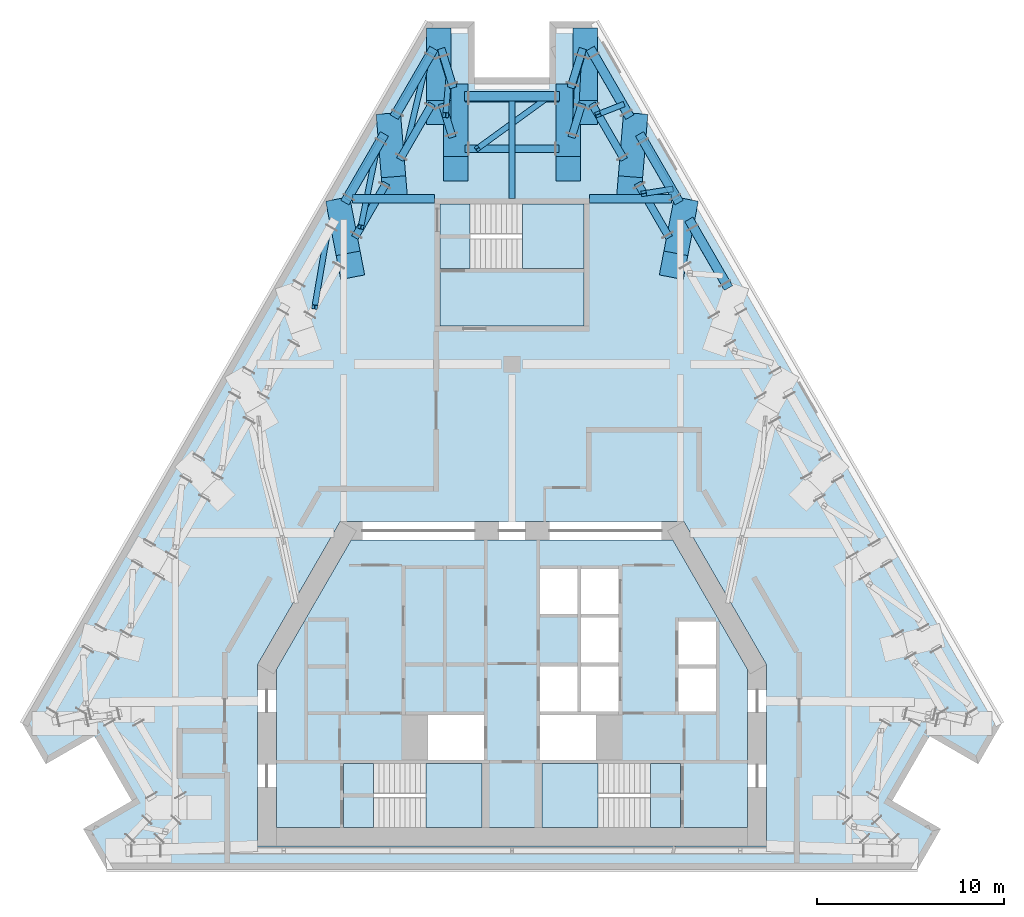
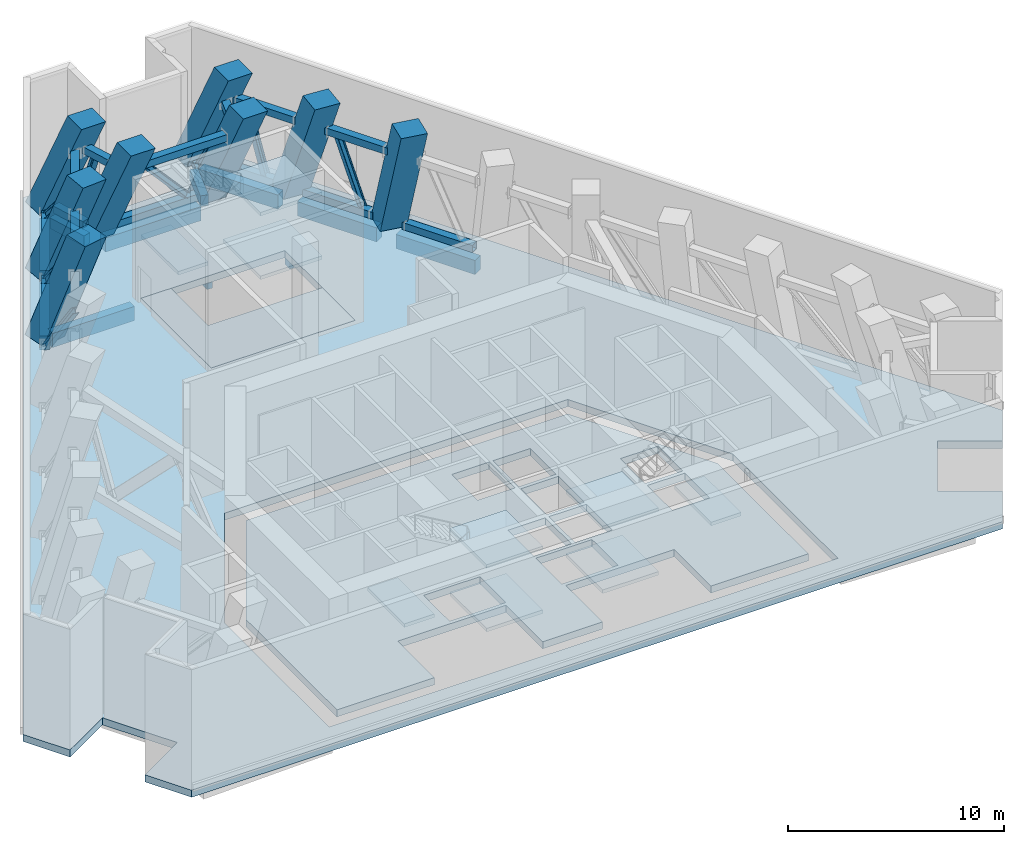
# One storey, part 3 of 13: 31 members, 12 slabs, 11 beams, 3 elements without a shape of their own.
"""IFC4 building model written with IfcOpenShell, lengths in metres."""

from ifc_helpers import new_model, si_unit, direction, frame, origin, origin_2d, place, context, subcontext, project, spatial, polyline, rectangle, hollow_rectangle, i_section, outline, extrude, material, layer, layer_set, material_profile, profile_set, type_object, element, aggregate, save


model = new_model("IFC4")

# Units and contexts
model_context = context("Model", 3, precision=1e-05, world=origin(), true_north=direction((0.0, 1.0)))
body_context = subcontext(model_context, "Body", "Model", "MODEL_VIEW")
ifc_project = project(units=[si_unit("LENGTHUNIT", "METRE"), si_unit("AREAUNIT", "SQUARE_METRE"), si_unit("VOLUMEUNIT", "CUBIC_METRE"), si_unit("PLANEANGLEUNIT", "RADIAN"), si_unit("MASSUNIT", "GRAM", prefix="KILO")], contexts=[model_context])

# Site, building, storey
site_placement = place(None, origin())
site = spatial("IfcSite", under=ifc_project, at=site_placement, CompositionType="ELEMENT")
building_placement = place(site_placement, origin())
building = spatial("IfcBuilding", under=site, at=building_placement, Name="Fogline Exchange Tower", CompositionType="ELEMENT")
storey_placement = place(building_placement, frame((0.0, 0.0, 259.5)))
storey = spatial("IfcBuildingStorey", under=building, at=storey_placement, Name="L59", CompositionType="ELEMENT", Elevation=259.5)

# Beams
ifc_material_1 = material(Name="Concrete C40", Category="concrete")
ifc_material_profile_1 = material_profile(ifc_material_1, rectangle(XDim=0.300048828125, YDim=0.60009765625, at=origin_2d()), Name="RC 300x600")
ifc_profile_set_1 = profile_set([ifc_material_profile_1], Name="Concrete C40")
beam_type_1 = type_object("IfcBeamType", Name="B06", PredefinedType="BEAM", material=ifc_profile_set_1)
beam_1_placement = place(storey_placement, frame((0.0, 35.85693359375, -0.699951171875), z_axis=(0.0, 1.0, 0.0), x_axis=(-1.0, 0.0, 0.0)))
element("IfcBeam", 1, at=beam_1_placement, inside=storey, type_object=beam_type_1, Name="SB006", PredefinedType="BEAM", context=body_context, shape_type="SweptSolid", body=[
    extrude(rectangle(XDim=0.300048828125, YDim=0.60009765625, at=origin_2d()), origin(), (0.0, 0.0, 1.0), 5.2197265625),
])
ifc_material_profile_2 = material_profile(ifc_material_1, rectangle(XDim=0.5, YDim=0.800048828125, at=origin_2d()), Name="RC 500x800")
ifc_profile_set_2 = profile_set([ifc_material_profile_2], Name="Concrete C40")
beam_type_2 = type_object("IfcBeamType", Name="B10", PredefinedType="BEAM", material=ifc_profile_set_2)
for number, where, z_axis, x_axis, name in (
    (2, (11.572265625, 31.076904296875, -0.800048828125), (-0.499972045304, 0.866041542834, 0.0), (-0.866041542834, -0.499972045304, 0.0), "RB014"),
    (3, (8.935791015625, 35.6435546875, -0.800048828125), (-0.499972045304, 0.866041542834, 0.0), (-0.866041542834, -0.499972045304, 0.0), "RB015"),
    (4, (6.29931640625, 40.210205078125, -0.800048828125), (-0.499972045304, 0.866041542834, 0.0), (-0.866041542834, -0.499972045304, 0.0), "RB016"),
):
    element("IfcBeam", number, at=place(storey_placement, frame(where, z_axis=z_axis, x_axis=x_axis)), inside=storey, type_object=beam_type_2, Name=name, PredefinedType="BEAM", context=body_context, shape_type="SweptSolid", body=[
        extrude(rectangle(XDim=0.5, YDim=0.800048828125, at=origin_2d()), origin(), (0.0, 0.0, 1.0), 4.233642578125),
    ])
beam_2_placement = place(storey_placement, frame((2.550048828125, 41.32666015625, -0.800048828125), z_axis=(-1.0, 0.0, 0.0), x_axis=(0.0, -1.0, 0.0)))
element("IfcBeam", 5, at=beam_2_placement, inside=storey, type_object=beam_type_2, Name="RB018", PredefinedType="BEAM", context=body_context, shape_type="SweptSolid", body=[
    extrude(rectangle(XDim=0.5, YDim=0.800048828125, at=origin_2d()), origin(), (0.0, 0.0, 1.0), 5.10009765625),
])
for number, where, z_axis, x_axis, name in (
    (6, (-4.1826171875, 43.876708984375, -0.800048828125), (-0.499972045304, -0.866041542834, 0.0), (0.866041542834, -0.499972045304, 0.0), "RB020"),
    (7, (-6.819091796875, 39.31005859375, -0.800048828125), (-0.499972045304, -0.866041542834, 0.0), (0.866041542834, -0.499972045304, 0.0), "RB021"),
):
    element("IfcBeam", number, at=place(storey_placement, frame(where, z_axis=z_axis, x_axis=x_axis)), inside=storey, type_object=beam_type_2, Name=name, PredefinedType="BEAM", context=body_context, shape_type="SweptSolid", body=[
        extrude(rectangle(XDim=0.5, YDim=0.800048828125, at=origin_2d()), origin(), (0.0, 0.0, 1.0), 4.233642578125),
    ])
ifc_material_profile_3 = material_profile(ifc_material_1, rectangle(XDim=0.39990234375, YDim=0.60009765625, at=origin_2d()), Name="RC 400x600")
ifc_profile_set_3 = profile_set([ifc_material_profile_3], Name="Concrete C40")
beam_type_3 = type_object("IfcBeamType", Name="B11", PredefinedType="BEAM", material=ifc_profile_set_3)
for number, where, z_axis, x_axis, name in (
    (8, (3.7841796875, 43.876708984375, -0.699951171875), (-0.293906253456, -0.95583425037, 0.0), (0.95583425037, -0.293906253456, 0.0), "RB017"),
    (9, (-3.138427734375, 41.776611328125, -0.699951171875), (-0.293906253456, 0.95583425037, 0.0), (-0.95583425037, -0.293906253456, 0.0), "RB019"),
):
    element("IfcBeam", number, at=place(storey_placement, frame(where, z_axis=z_axis, x_axis=x_axis)), inside=storey, type_object=beam_type_3, Name=name, PredefinedType="BEAM", context=body_context, shape_type="SweptSolid", body=[
        extrude(rectangle(XDim=0.39990234375, YDim=0.60009765625, at=origin_2d()), origin(), (0.0, 0.0, 1.0), 2.197021484375),
    ])
ifc_material_profile_4 = material_profile(ifc_material_1, rectangle(XDim=0.449951171875, YDim=0.800048828125, at=origin_2d()), Name="RC 450x800")
ifc_profile_set_4 = profile_set([ifc_material_profile_4], Name="Concrete C40")
beam_type_4 = type_object("IfcBeamType", Name="B18", PredefinedType="BEAM", material=ifc_profile_set_4)
for number, where, z_axis, x_axis, name in (
    (10, (-8.52392578125, 35.85693359375, -0.800048828125), (1.0, 0.0, 0.0), (0.0, 1.0, 0.0), "GB009"),
    (11, (4.14990234375, 35.85693359375, -0.800048828125), (1.0, 0.0, 0.0), (0.0, 1.0, 0.0), "GB010"),
):
    element("IfcBeam", number, at=place(storey_placement, frame(where, z_axis=z_axis, x_axis=x_axis)), inside=storey, type_object=beam_type_4, Name=name, PredefinedType="BEAM", context=body_context, shape_type="SweptSolid", body=[
        extrude(rectangle(XDim=0.449951171875, YDim=0.800048828125, at=origin_2d()), origin(), (0.0, 0.0, 1.0), 4.3740234375),
    ])

# Members
ifc_material_2 = material(Name="Steel Q355B", Category="steel")
ifc_material_profile_5 = material_profile(ifc_material_2, hollow_rectangle(XDim=0.39990234375, YDim=0.39990234375, WallThickness=0.02001953125, at=origin_2d()), Name="BOX400X400X20")
ifc_profile_set_5 = profile_set([ifc_material_profile_5], Name="Steel Q355B")
member_type_1 = type_object("IfcMemberType", Name="M09", PredefinedType="CHORD", material=ifc_profile_set_5)
member_1_placement = place(storey_placement, frame((11.453857421875, 31.174560546875, 0.199951171875), z_axis=(-0.500006623535, 0.866021579651, 0.0), x_axis=(-0.866021579651, -0.500006623535, 0.0)))
element("IfcMember", 12, at=member_1_placement, inside=storey, type_object=member_type_1, Name="Belt truss chord BT13-1-BC", PredefinedType="CHORD", context=body_context, shape_type="SweptSolid", body=[
    extrude(hollow_rectangle(XDim=0.39990234375, YDim=0.39990234375, WallThickness=0.02001953125, at=origin_2d()), origin(), (0.0, 0.0, 1.0), 3.76806640625),
])
member_2_placement = place(storey_placement, frame((8.790283203125, 35.7880859375, 0.199951171875), z_axis=(-0.499979568427, 0.866037199637, 0.0), x_axis=(-0.866037199637, -0.499979568427, 0.0)))
element("IfcMember", 13, at=member_2_placement, inside=storey, type_object=member_type_1, Name="Belt truss chord BT14-1-BC", PredefinedType="CHORD", context=body_context, shape_type="SweptSolid", body=[
    extrude(hollow_rectangle(XDim=0.39990234375, YDim=0.39990234375, WallThickness=0.02001953125, at=origin_2d()), origin(), (0.0, 0.0, 1.0), 3.753662109375),
])
member_3_placement = place(storey_placement, frame((8.402587890625, 33.7724609375, 5.199951171875), z_axis=(-0.500086636007, 0.865975378684, 0.0), x_axis=(-0.865975378684, -0.500086636007, 0.0)))
element("IfcMember", 14, at=member_3_placement, inside=storey, type_object=member_type_1, Name="Belt truss chord BT14-1-TC", PredefinedType="CHORD", context=body_context, shape_type="SweptSolid", body=[
    extrude(hollow_rectangle(XDim=0.39990234375, YDim=0.39990234375, WallThickness=0.02001953125, at=origin_2d()), origin(), (0.0, 0.0, 1.0), 3.36572265625),
])
member_4_placement = place(storey_placement, frame((6.189208984375, 40.29345703125, 0.199951171875), z_axis=(-0.500018506433, 0.866014718827, 0.0), x_axis=(-0.866014718827, -0.500018506433, 0.0)))
element("IfcMember", 15, at=member_4_placement, inside=storey, type_object=member_type_1, Name="Belt truss chord BT15-1-BC", PredefinedType="CHORD", context=body_context, shape_type="SweptSolid", body=[
    extrude(hollow_rectangle(XDim=0.39990234375, YDim=0.39990234375, WallThickness=0.02001953125, at=origin_2d()), origin(), (0.0, 0.0, 1.0), 3.830810546875),
])
member_5_placement = place(storey_placement, frame((5.9951171875, 37.94189453125, 5.199951171875), z_axis=(-0.499990488861, 0.866030894974, 0.0), x_axis=(-0.866030894974, -0.499990488861, 0.0)))
element("IfcMember", 16, at=member_5_placement, inside=storey, type_object=member_type_1, Name="Belt truss chord BT15-1-TC", PredefinedType="CHORD", context=body_context, shape_type="SweptSolid", body=[
    extrude(hollow_rectangle(XDim=0.39990234375, YDim=0.39990234375, WallThickness=0.02001953125, at=origin_2d()), origin(), (0.0, 0.0, 1.0), 3.44287109375),
])
for number, where, z_axis, x_axis, name in (
    (17, (3.73974609375, 43.62451171875, 0.199951171875), (-0.293950011058, -0.955820794396, 0.0), (0.955820794396, -0.293950011058, 0.0), "Belt truss chord BT16-1-BC"),
    (18, (3.73974609375, 40.93701171875, 5.199951171875), (-0.293950011058, -0.955820794396, 0.0), (0.955820794396, -0.293950011058, 0.0), "Belt truss chord BT16-1-TC"),
):
    element("IfcMember", number, at=place(storey_placement, frame(where, z_axis=z_axis, x_axis=x_axis)), inside=storey, type_object=member_type_1, Name=name, PredefinedType="CHORD", context=body_context, shape_type="SweptSolid", body=[
        extrude(hollow_rectangle(XDim=0.39990234375, YDim=0.39990234375, WallThickness=0.02001953125, at=origin_2d()), origin(), (0.0, 0.0, 1.0), 1.89453125),
    ])
for number, where, z_axis, x_axis, name in (
    (19, (2.5, 41.21923828125, 0.199951171875), (-1.0, 0.0, 0.0), (0.0, -1.0, 0.0), "Belt truss chord BT17-1-BC"),
    (20, (2.5, 38.53173828125, 5.199951171875), (-1.0, 0.0, 0.0), (0.0, -1.0, 0.0), "Belt truss chord BT17-1-TC"),
):
    element("IfcMember", number, at=place(storey_placement, frame(where, z_axis=z_axis, x_axis=x_axis)), inside=storey, type_object=member_type_1, Name=name, PredefinedType="CHORD", context=body_context, shape_type="SweptSolid", body=[
        extrude(hollow_rectangle(XDim=0.39990234375, YDim=0.39990234375, WallThickness=0.02001953125, at=origin_2d()), origin(), (0.0, 0.0, 1.0), 5.0),
    ])
for number, where, z_axis, x_axis, name in (
    (21, (-3.182861328125, 41.813720703125, 0.199951171875), (-0.293950011058, 0.955820794396, 0.0), (-0.955820794396, -0.293950011058, 0.0), "Belt truss chord BT18-1-BC"),
    (22, (-3.182861328125, 39.126220703125, 5.199951171875), (-0.293950011058, 0.955820794396, 0.0), (-0.955820794396, -0.293950011058, 0.0), "Belt truss chord BT18-1-TC"),
):
    element("IfcMember", number, at=place(storey_placement, frame(where, z_axis=z_axis, x_axis=x_axis)), inside=storey, type_object=member_type_1, Name=name, PredefinedType="CHORD", context=body_context, shape_type="SweptSolid", body=[
        extrude(hollow_rectangle(XDim=0.39990234375, YDim=0.39990234375, WallThickness=0.02001953125, at=origin_2d()), origin(), (0.0, 0.0, 1.0), 1.89453125),
    ])
member_6_placement = place(storey_placement, frame((-4.273681640625, 43.611083984375, 0.199951171875), z_axis=(-0.500018506433, -0.866014718827, 0.0), x_axis=(0.866014718827, -0.500018506433, 0.0)))
element("IfcMember", 23, at=member_6_placement, inside=storey, type_object=member_type_1, Name="Belt truss chord BT19-1-BC", PredefinedType="CHORD", context=body_context, shape_type="SweptSolid", body=[
    extrude(hollow_rectangle(XDim=0.39990234375, YDim=0.39990234375, WallThickness=0.02001953125, at=origin_2d()), origin(), (0.0, 0.0, 1.0), 3.830810546875),
])
member_7_placement = place(storey_placement, frame((-4.273681640625, 40.923583984375, 5.199951171875), z_axis=(-0.499990488861, -0.866030894974, 0.0), x_axis=(0.866030894974, -0.499990488861, 0.0)))
element("IfcMember", 24, at=member_7_placement, inside=storey, type_object=member_type_1, Name="Belt truss chord BT19-1-TC", PredefinedType="CHORD", context=body_context, shape_type="SweptSolid", body=[
    extrude(hollow_rectangle(XDim=0.39990234375, YDim=0.39990234375, WallThickness=0.02001953125, at=origin_2d()), origin(), (0.0, 0.0, 1.0), 3.44287109375),
])
member_8_placement = place(storey_placement, frame((-6.91357421875, 39.038818359375, 0.199951171875), z_axis=(-0.499979568427, -0.866037199637, 0.0), x_axis=(0.866037199637, -0.499979568427, 0.0)))
element("IfcMember", 25, at=member_8_placement, inside=storey, type_object=member_type_1, Name="Belt truss chord BT20-1-BC", PredefinedType="CHORD", context=body_context, shape_type="SweptSolid", body=[
    extrude(hollow_rectangle(XDim=0.39990234375, YDim=0.39990234375, WallThickness=0.02001953125, at=origin_2d()), origin(), (0.0, 0.0, 1.0), 3.753662109375),
])
member_9_placement = place(storey_placement, frame((-6.719482421875, 36.68701171875, 5.199951171875), z_axis=(-0.500086636007, -0.865975378684, 0.0), x_axis=(0.865975378684, -0.500086636007, 0.0)))
element("IfcMember", 26, at=member_9_placement, inside=storey, type_object=member_type_1, Name="Belt truss chord BT20-1-TC", PredefinedType="CHORD", context=body_context, shape_type="SweptSolid", body=[
    extrude(hollow_rectangle(XDim=0.39990234375, YDim=0.39990234375, WallThickness=0.02001953125, at=origin_2d()), origin(), (0.0, 0.0, 1.0), 3.36572265625),
])
ifc_material_profile_6 = material_profile(ifc_material_2, i_section(OverallWidth=0.300048828125, OverallDepth=0.300048828125, WebThickness=0.010009765625, FlangeThickness=0.014892578125, FilletRadius=0.012939453125, at=origin_2d()), Name="HW300X300X10X15")
ifc_profile_set_6 = profile_set([ifc_material_profile_6], Name="Steel Q355B")
member_type_2 = type_object("IfcMemberType", Name="M10", PredefinedType="BRACE", material=ifc_profile_set_6)
member_10_placement = place(storey_placement, frame((8.46533203125, 36.350830078125, 0.39990234375), z_axis=(-0.294753686818, -0.047006602744, 0.954416388903), x_axis=(0.157487450997, -0.987520988526, 0.0)))
element("IfcMember", 27, at=member_10_placement, inside=storey, type_object=member_type_2, Name="Belt truss diagonal BT14-1-D1", PredefinedType="BRACE", context=body_context, shape_type="SweptSolid", body=[
    extrude(i_section(OverallWidth=0.300048828125, OverallDepth=0.300048828125, WebThickness=0.010009765625, FlangeThickness=0.014892578125, FilletRadius=0.012939453125, at=origin_2d()), origin(), (0.0, 0.0, 1.0), 4.81982421875),
])
member_11_placement = place(storey_placement, frame((5.8642578125, 40.856201171875, 0.39990234375), z_axis=(-0.263853279984, -0.103322175611, 0.959013021115), x_axis=(0.364629605026, -0.931152646529, 0.0)))
element("IfcMember", 28, at=member_11_placement, inside=storey, type_object=member_type_2, Name="Belt truss diagonal BT15-1-D1", PredefinedType="BRACE", context=body_context, shape_type="SweptSolid", body=[
    extrude(i_section(OverallWidth=0.300048828125, OverallDepth=0.300048828125, WebThickness=0.010009765625, FlangeThickness=0.014892578125, FilletRadius=0.012939453125, at=origin_2d()), origin(), (0.0, 0.0, 1.0), 4.796630859375),
])
member_12_placement = place(storey_placement, frame((3.548583984375, 43.00341796875, 0.39990234375), z_axis=(-0.031002280012, -0.577439114861, 0.815844916183), x_axis=(0.998561839981, -0.053612048397, 0.0)))
element("IfcMember", 29, at=member_12_placement, inside=storey, type_object=member_type_2, Name="Belt truss diagonal BT16-1-D1", PredefinedType="BRACE", context=body_context, shape_type="SweptSolid", body=[
    extrude(i_section(OverallWidth=0.300048828125, OverallDepth=0.300048828125, WebThickness=0.010009765625, FlangeThickness=0.014892578125, FilletRadius=0.012939453125, at=origin_2d()), origin(), (0.0, 0.0, 1.0), 5.638427734375),
])
member_13_placement = place(storey_placement, frame((1.85009765625, 41.21923828125, 0.39990234375), z_axis=(-0.570443434588, -0.41432048878, 0.709177566278), x_axis=(0.587663701375, -0.809105292336, 0.0)))
element("IfcMember", 30, at=member_13_placement, inside=storey, type_object=member_type_2, Name="Belt truss diagonal BT17-1-D1", PredefinedType="BRACE", context=body_context, shape_type="SweptSolid", body=[
    extrude(i_section(OverallWidth=0.300048828125, OverallDepth=0.300048828125, WebThickness=0.010009765625, FlangeThickness=0.014892578125, FilletRadius=0.012939453125, at=origin_2d()), origin(), (0.0, 0.0, 1.0), 6.486572265625),
])
member_14_placement = place(storey_placement, frame((-3.373779296875, 42.43505859375, 0.39990234375), z_axis=(-0.034493467935, -0.418161035865, 0.907717769328), x_axis=(0.996615089716, -0.082209263161, 0.0)))
element("IfcMember", 31, at=member_14_placement, inside=storey, type_object=member_type_2, Name="Belt truss diagonal BT18-1-D1", PredefinedType="BRACE", context=body_context, shape_type="SweptSolid", body=[
    extrude(i_section(OverallWidth=0.300048828125, OverallDepth=0.300048828125, WebThickness=0.010009765625, FlangeThickness=0.014892578125, FilletRadius=0.012939453125, at=origin_2d()), origin(), (0.0, 0.0, 1.0), 5.06787109375),
])
member_15_placement = place(storey_placement, frame((-4.5986328125, 43.048095703125, 0.39990234375), z_axis=(-0.163498402829, -0.693257069186, 0.70189950014), x_axis=(0.973298377278, -0.229543609773, 0.0)))
element("IfcMember", 32, at=member_15_placement, inside=storey, type_object=member_type_2, Name="Belt truss diagonal BT19-1-D1", PredefinedType="BRACE", context=body_context, shape_type="SweptSolid", body=[
    extrude(i_section(OverallWidth=0.300048828125, OverallDepth=0.300048828125, WebThickness=0.010009765625, FlangeThickness=0.014892578125, FilletRadius=0.012939453125, at=origin_2d()), origin(), (0.0, 0.0, 1.0), 6.5537109375),
])
member_16_placement = place(storey_placement, frame((-7.238525390625, 38.475830078125, 0.39990234375), z_axis=(-0.134310117121, -0.662950985558, 0.736516655064), x_axis=(0.980088650295, -0.198560412878, 0.0)))
element("IfcMember", 33, at=member_16_placement, inside=storey, type_object=member_type_2, Name="Belt truss diagonal BT20-1-D1", PredefinedType="BRACE", context=body_context, shape_type="SweptSolid", body=[
    extrude(i_section(OverallWidth=0.300048828125, OverallDepth=0.300048828125, WebThickness=0.010009765625, FlangeThickness=0.014892578125, FilletRadius=0.012939453125, at=origin_2d()), origin(), (0.0, 0.0, 1.0), 6.245849609375),
])
member_17_placement = place(storey_placement, frame((-9.89501953125, 33.875, 0.39990234375), z_axis=(-0.108447530588, -0.634809861755, 0.765019981784), x_axis=(0.985719584095, -0.168395075735, 0.0)))
element("IfcMember", 34, at=member_17_placement, inside=storey, type_object=member_type_2, Name="Belt truss diagonal BT21-1-D1", PredefinedType="BRACE", context=body_context, shape_type="SweptSolid", body=[
    extrude(i_section(OverallWidth=0.300048828125, OverallDepth=0.300048828125, WebThickness=0.010009765625, FlangeThickness=0.014892578125, FilletRadius=0.012939453125, at=origin_2d()), origin(), (0.0, 0.0, 1.0), 6.012939453125),
])
ifc_material_3 = material(Name="Concrete C60", Category="concrete")
ifc_material_profile_7 = material_profile(ifc_material_3, rectangle(XDim=1.300048828125, YDim=1.300048828125, at=origin_2d()), Name="RC 1300x1300")
ifc_profile_set_7 = profile_set([ifc_material_profile_7], Name="Concrete C60")
member_type_3 = type_object("IfcMemberType", Name="RP02", PredefinedType="POST", material=ifc_profile_set_7)
member_18_placement = place(storey_placement, frame((9.19580078125, 35.193603515625, 0.0), z_axis=(0.0, 0.0, 1.0), x_axis=(0.981981105634, -0.18897912101, 0.0)))
element("IfcMember", 35, at=member_18_placement, inside=storey, type_object=member_type_3, Name="E6", PredefinedType="POST", context=body_context, shape_type="SweptSolid", body=[
    extrude(rectangle(XDim=1.300048828125, YDim=1.300048828125, at=origin_2d()), origin(), (0.0, -0.379778811828, 0.925077323301), 7.782958984375),
])
member_19_placement = place(storey_placement, frame((6.55908203125, 39.760009765625, 0.0), z_axis=(0.0, 0.0, 1.0), x_axis=(0.996615767917, -0.082201040988, 0.0)))
element("IfcMember", 36, at=member_19_placement, inside=storey, type_object=member_type_3, Name="E7", PredefinedType="POST", context=body_context, shape_type="SweptSolid", body=[
    extrude(rectangle(XDim=1.300048828125, YDim=1.300048828125, at=origin_2d()), origin(), (0.0, -0.426775437093, 0.904357631855), 7.96142578125),
])
for number, where, z_axis, x_axis, name in (
    (37, (3.922607421875, 44.32666015625, 0.0), (0.0, 0.0, 1.0), (1.0, 0.0, 0.0), "N-a"),
    (38, (3.0, 41.32666015625, 0.0), (0.0, 0.0, 1.0), (1.0, 0.0, 0.0), "N-p4"),
    (39, (-3.0, 41.32666015625, 0.0), (0.0, 0.0, 1.0), (1.0, 0.0, 0.0), "N-p3"),
    (40, (-3.922607421875, 44.32666015625, 0.0), (0.0, 0.0, 1.0), (1.0, 0.0, 0.0), "N-b"),
):
    element("IfcMember", number, at=place(storey_placement, frame(where, z_axis=z_axis, x_axis=x_axis)), inside=storey, type_object=member_type_3, Name=name, PredefinedType="POST", context=body_context, shape_type="SweptSolid", body=[
        extrude(rectangle(XDim=1.300048828125, YDim=1.300048828125, at=origin_2d()), origin(), (0.0, -0.473433554532, 0.880829534838), 8.174072265625),
    ])
member_20_placement = place(storey_placement, frame((-6.55908203125, 39.760009765625, 0.0), z_axis=(0.0, 0.0, 1.0), x_axis=(0.996615767917, 0.082201040988, 0.0)))
element("IfcMember", 41, at=member_20_placement, inside=storey, type_object=member_type_3, Name="W1", PredefinedType="POST", context=body_context, shape_type="SweptSolid", body=[
    extrude(rectangle(XDim=1.300048828125, YDim=1.300048828125, at=origin_2d()), origin(), (0.0, -0.426775437093, 0.904357631855), 7.96142578125),
])
member_21_placement = place(storey_placement, frame((-9.19580078125, 35.193603515625, 0.0), z_axis=(0.0, 0.0, 1.0), x_axis=(0.981981105634, 0.18897912101, 0.0)))
element("IfcMember", 42, at=member_21_placement, inside=storey, type_object=member_type_3, Name="W2", PredefinedType="POST", context=body_context, shape_type="SweptSolid", body=[
    extrude(rectangle(XDim=1.300048828125, YDim=1.300048828125, at=origin_2d()), origin(), (0.0, -0.379778811828, 0.925077323301), 7.782958984375),
])

# Slabs
ifc_layer_1 = layer(ifc_material_1, 0.39990234375)
ifc_layer_set_1 = layer_set([ifc_layer_1], Name="S03")
slab_type_1 = type_object("IfcSlabType", Name="S03", PredefinedType="FLOOR", material=ifc_layer_set_1)
slab_1_placement = place(storey_placement, frame((0.0, 0.0, -0.39990234375)))
element("IfcSlab", 43, at=slab_1_placement, inside=storey, type_object=slab_type_1, Name="SLAB L59", PredefinedType="FLOOR", context=body_context, shape_type="SweptSolid", body=[
    extrude(outline(polyline([(-2.0, 45.32666015625), (-4.5, 45.32666015625), (-26.16943359375, 7.794189453125), (-24.91943359375, 5.629150390625), (-22.3212890625, 7.129150390625), (-20.3212890625, 3.6650390625), (-22.91943359375, 2.1650390625), (-21.66943359375, 0.0), (21.66943359375, 0.0), (22.91943359375, 2.1650390625), (20.3212890625, 3.6650390625), (22.3212890625, 7.129150390625), (24.91943359375, 5.629150390625), (26.16943359375, 7.794189453125), (4.5, 45.32666015625), (2.0, 45.32666015625), (2.0, 42.32666015625), (-2.0, 42.32666015625), (-2.0, 45.32666015625)]), holes=[polyline([(13.60009765625, 10.9453125), (13.60009765625, 1.25), (-13.60009765625, 1.25), (-13.60009765625, 10.9453125), (-9.1806640625, 18.60009765625), (9.1806640625, 18.60009765625), (13.60009765625, 10.9453125)]), polyline([(3.85009765625, 35.556884765625), (3.85009765625, 29.056884765625), (-3.85009765625, 29.056884765625), (-3.85009765625, 35.556884765625), (3.85009765625, 35.556884765625)])]), origin(), (0.0, 0.0, 1.0), 0.39990234375),
])
slab_2_placement = place(storey_placement, frame((0.0, 0.0, -0.39990234375)))
element("IfcSlab", 44, at=slab_2_placement, inside=storey, type_object=slab_type_1, Name="Core floor slab", PredefinedType="FLOOR", context=body_context, shape_type="SweptSolid", body=[
    extrude(outline(polyline([(-12.60009765625, 2.25), (-12.60009765625, 10.677490234375), (-8.603271484375, 17.60009765625), (8.603271484375, 17.60009765625), (12.60009765625, 10.677490234375), (12.60009765625, 2.25), (7.389892578125, 2.25), (7.389892578125, 5.64990234375), (1.60009765625, 5.64990234375), (1.60009765625, 2.25), (-1.60009765625, 2.25), (-1.60009765625, 5.64990234375), (-7.389892578125, 5.64990234375), (-7.389892578125, 2.25), (-12.60009765625, 2.25)]), holes=[polyline([(-4.5, 8.25), (-4.5, 5.85009765625), (-1.5, 5.85009765625), (-1.5, 8.25), (-4.5, 8.25)]), polyline([(4.5, 8.25), (1.5, 8.25), (1.5, 5.85009765625), (4.5, 5.85009765625), (4.5, 8.25)]), polyline([(3.5, 10.85009765625), (1.5, 10.85009765625), (1.5, 8.449951171875), (3.5, 8.449951171875), (3.5, 10.85009765625)]), polyline([(1.5, 16.050048828125), (1.5, 13.64990234375), (3.5, 13.64990234375), (3.5, 16.050048828125), (1.5, 16.050048828125)]), polyline([(10.89990234375, 10.75), (8.89990234375, 10.75), (8.89990234375, 8.449951171875), (10.89990234375, 8.449951171875), (10.89990234375, 10.75)]), polyline([(5.699951171875, 10.85009765625), (3.699951171875, 10.85009765625), (3.699951171875, 8.449951171875), (5.699951171875, 8.449951171875), (5.699951171875, 10.85009765625)]), polyline([(8.89990234375, 13.25), (8.89990234375, 10.949951171875), (10.89990234375, 10.949951171875), (10.89990234375, 13.25), (8.89990234375, 13.25)]), polyline([(5.699951171875, 13.449951171875), (3.699951171875, 13.449951171875), (3.699951171875, 11.050048828125), (5.699951171875, 11.050048828125), (5.699951171875, 13.449951171875)]), polyline([(5.699951171875, 16.050048828125), (3.699951171875, 16.050048828125), (3.699951171875, 13.64990234375), (5.699951171875, 13.64990234375), (5.699951171875, 16.050048828125)])]), origin(), (0.0, 0.0, 1.0), 0.39990234375),
])
slab_3_placement = place(storey_placement, frame((0.0, 0.0, -0.39990234375)))
element("IfcSlab", 45, at=slab_3_placement, inside=storey, type_object=slab_type_1, Name="Stair enclosure floor slab", PredefinedType="FLOOR", context=body_context, shape_type="SweptSolid", body=[
    extrude(outline(polyline([(3.85009765625, 29.056884765625), (-3.85009765625, 29.056884765625), (-3.85009765625, 35.556884765625), (-2.239990234375, 35.556884765625), (-2.239990234375, 32.10693359375), (3.85009765625, 32.10693359375), (3.85009765625, 29.056884765625)])), origin(), (0.0, 0.0, 1.0), 0.39990234375),
])

# Stair, slabs
stair_type = type_object("IfcStairType", Name="STR44-1636", PredefinedType="HALF_TURN_STAIR", material=ifc_material_1)
stair_1_placement = place(storey_placement, origin())
stair_1 = element("IfcStair", 46, at=stair_1_placement, inside=storey, type_object=stair_type, Name="Stair ST1", PredefinedType="HALF_TURN_STAIR")
ifc_layer_2 = layer(ifc_material_1, 0.199951171875)
ifc_layer_set_2 = layer_set([ifc_layer_2], Name="SL200")
slab_type_2 = type_object("IfcSlabType", Name="SL200", PredefinedType="LANDING", material=ifc_layer_set_2)
slab_4_placement = place(storey_placement, frame((0.0, 0.0, 1.60009765625)))
slab_4 = element("IfcSlab", 47, at=slab_4_placement, type_object=slab_type_2, Name="ST1 landing 1", PredefinedType="LANDING", context=body_context, shape_type="SweptSolid", body=[
    extrude(outline(polyline([(-4.60009765625, 2.25), (-1.60009765625, 2.25), (-1.60009765625, 5.64990234375), (-4.60009765625, 5.64990234375), (-4.60009765625, 2.25)])), origin(), (0.0, 0.0, 1.0), 0.199951171875),
])
slab_5_placement = place(storey_placement, frame((0.0, 0.0, 3.39990234375)))
slab_5 = element("IfcSlab", 48, at=slab_5_placement, type_object=slab_type_2, Name="ST1 landing 2", PredefinedType="LANDING", context=body_context, shape_type="SweptSolid", body=[
    extrude(outline(polyline([(-9.0, 2.25), (-7.39990234375, 2.25), (-7.39990234375, 5.64990234375), (-9.0, 5.64990234375), (-9.0, 2.25)])), origin(), (0.0, 0.0, 1.0), 0.2001953125),
])
slab_6_placement = place(storey_placement, frame((0.0, 0.0, 5.199951171875)))
slab_6 = element("IfcSlab", 49, at=slab_6_placement, type_object=slab_type_2, Name="ST1 landing 3", PredefinedType="LANDING", context=body_context, shape_type="SweptSolid", body=[
    extrude(outline(polyline([(-4.60009765625, 2.25), (-1.60009765625, 2.25), (-1.60009765625, 5.64990234375), (-4.60009765625, 5.64990234375), (-4.60009765625, 2.25)])), origin(), (0.0, 0.0, 1.0), 0.199951171875),
])
aggregate(stair_1, [slab_4, slab_5, slab_6])

stair_2_placement = place(storey_placement, origin())
stair_2 = element("IfcStair", 50, at=stair_2_placement, inside=storey, type_object=stair_type, Name="Stair ST2", PredefinedType="HALF_TURN_STAIR")
slab_7_placement = place(storey_placement, frame((0.0, 0.0, 1.60009765625)))
slab_7 = element("IfcSlab", 51, at=slab_7_placement, type_object=slab_type_2, Name="ST2 landing 1", PredefinedType="LANDING", context=body_context, shape_type="SweptSolid", body=[
    extrude(outline(polyline([(1.60009765625, 2.25), (4.60009765625, 2.25), (4.60009765625, 5.64990234375), (1.60009765625, 5.64990234375), (1.60009765625, 2.25)])), origin(), (0.0, 0.0, 1.0), 0.199951171875),
])
slab_8_placement = place(storey_placement, frame((0.0, 0.0, 3.39990234375)))
slab_8 = element("IfcSlab", 52, at=slab_8_placement, type_object=slab_type_2, Name="ST2 landing 2", PredefinedType="LANDING", context=body_context, shape_type="SweptSolid", body=[
    extrude(outline(polyline([(7.39990234375, 2.25), (9.0, 2.25), (9.0, 5.64990234375), (7.39990234375, 5.64990234375), (7.39990234375, 2.25)])), origin(), (0.0, 0.0, 1.0), 0.2001953125),
])
slab_9_placement = place(storey_placement, frame((0.0, 0.0, 5.199951171875)))
slab_9 = element("IfcSlab", 53, at=slab_9_placement, type_object=slab_type_2, Name="ST2 landing 3", PredefinedType="LANDING", context=body_context, shape_type="SweptSolid", body=[
    extrude(outline(polyline([(1.60009765625, 2.25), (4.60009765625, 2.25), (4.60009765625, 5.64990234375), (1.60009765625, 5.64990234375), (1.60009765625, 2.25)])), origin(), (0.0, 0.0, 1.0), 0.199951171875),
])
aggregate(stair_2, [slab_7, slab_8, slab_9])

stair_3_placement = place(storey_placement, origin())
stair_3 = element("IfcStair", 54, at=stair_3_placement, inside=storey, type_object=stair_type, Name="Stair ST3", PredefinedType="HALF_TURN_STAIR")
slab_10_placement = place(storey_placement, frame((0.0, 0.0, 1.60009765625)))
slab_10 = element("IfcSlab", 55, at=slab_10_placement, type_object=slab_type_2, Name="ST3 landing 1", PredefinedType="LANDING", context=body_context, shape_type="SweptSolid", body=[
    extrude(outline(polyline([(0.550048828125, 32.10693359375), (3.85009765625, 32.10693359375), (3.85009765625, 35.556884765625), (0.550048828125, 35.556884765625), (0.550048828125, 32.10693359375)])), origin(), (0.0, 0.0, 1.0), 0.199951171875),
])
slab_11_placement = place(storey_placement, frame((0.0, 0.0, 3.39990234375)))
slab_11 = element("IfcSlab", 56, at=slab_11_placement, type_object=slab_type_2, Name="ST3 landing 2", PredefinedType="LANDING", context=body_context, shape_type="SweptSolid", body=[
    extrude(outline(polyline([(-3.85009765625, 32.10693359375), (-2.25, 32.10693359375), (-2.25, 35.556884765625), (-3.85009765625, 35.556884765625), (-3.85009765625, 32.10693359375)])), origin(), (0.0, 0.0, 1.0), 0.2001953125),
])
slab_12_placement = place(storey_placement, frame((0.0, 0.0, 5.199951171875)))
slab_12 = element("IfcSlab", 57, at=slab_12_placement, type_object=slab_type_2, Name="ST3 landing 3", PredefinedType="LANDING", context=body_context, shape_type="SweptSolid", body=[
    extrude(outline(polyline([(0.550048828125, 32.10693359375), (3.85009765625, 32.10693359375), (3.85009765625, 35.556884765625), (0.550048828125, 35.556884765625), (0.550048828125, 32.10693359375)])), origin(), (0.0, 0.0, 1.0), 0.199951171875),
])
aggregate(stair_3, [slab_10, slab_11, slab_12])

save(model, "model.ifc")
